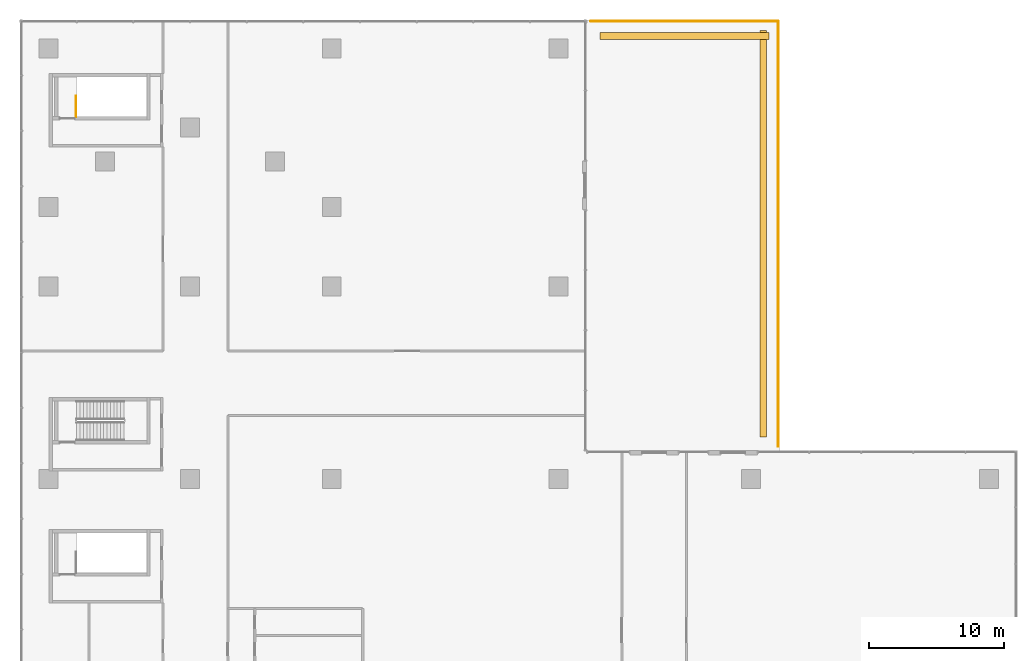
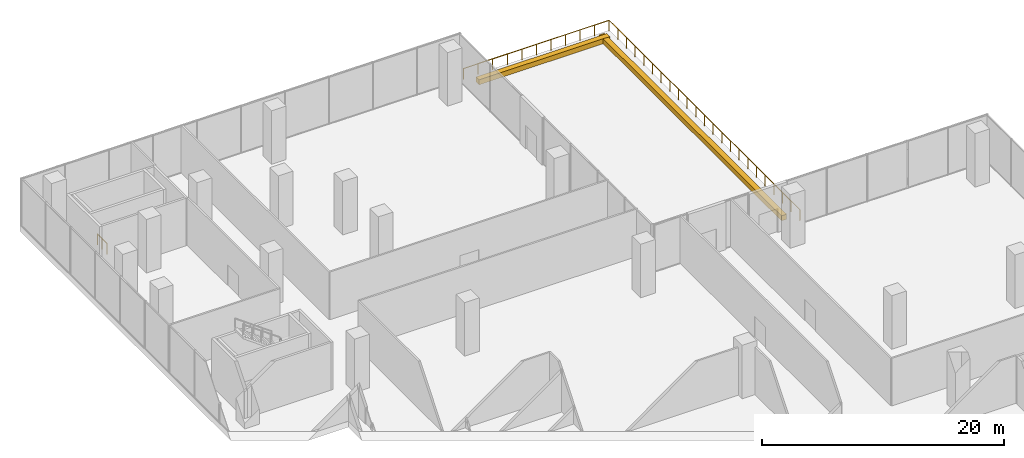
# One storey, part 21 of 21: 3 railings, 2 coverings.
"""IFC4 building model written with IfcOpenShell, lengths in metres."""

from ifc_helpers import new_model, si_unit, direction, frame, origin, origin_2d, place, context, subcontext, project, spatial, rectangle, circle, extrude, source, transform, mapped, material, type_object, element, save


model = new_model("IFC4")

# Units and contexts
model_context = context("Model", 3, precision=1e-05, world=origin(), true_north=direction((0.0, 1.0)))
body_context = subcontext(model_context, "Body", "Model", "MODEL_VIEW")
ifc_project = project(units=[si_unit("LENGTHUNIT", "METRE"), si_unit("AREAUNIT", "SQUARE_METRE"), si_unit("VOLUMEUNIT", "CUBIC_METRE"), si_unit("PLANEANGLEUNIT", "RADIAN"), si_unit("MASSUNIT", "GRAM", prefix="KILO")], contexts=[model_context])

# Site, building, storey
site_placement = place(None, origin())
site = spatial("IfcSite", under=ifc_project, at=site_placement, CompositionType="ELEMENT")
building_placement = place(site_placement, origin())
building = spatial("IfcBuilding", under=site, at=building_placement, Name="Aurelian Terraces", CompositionType="ELEMENT")
storey_placement = place(building_placement, frame((0.0, 0.0, 29.1)))
storey = spatial("IfcBuildingStorey", under=building, at=storey_placement, Name="L05", CompositionType="ELEMENT", Elevation=29.1)

# Railing
ifc_material_1 = material(Name="Anodised aluminium", Category="aluminium")
railing_type_1 = type_object("IfcRailingType", Name="GUARD-1100", PredefinedType="GUARDRAIL", material=ifc_material_1)
railing_1_placement = place(storey_placement, frame((54.09, 71.73, 0.0)))
element("IfcRailing", 1, at=railing_1_placement, inside=storey, type_object=railing_type_1, Name="Terrace guard L05 L05-X1.2", PredefinedType="GUARDRAIL", context=body_context, shape_type="SweptSolid", body=[
    extrude(circle(Radius=0.024, at=origin_2d()), frame((0.0, 0.0, 1.076), z_axis=(0.0, -1.0, 0.0), x_axis=(1.0, 0.0, 0.0)), (0.0, 0.0, 1.0), 31.53),
    extrude(circle(Radius=0.021, at=origin_2d()), origin(), (0.0, 0.0, 1.0), 1.052),
    extrude(circle(Radius=0.021, at=origin_2d()), frame((0.0, -1.4332, 0.0)), (0.0, 0.0, 1.0), 1.052),
    extrude(circle(Radius=0.021, at=origin_2d()), frame((0.0, -2.8664, 0.0)), (0.0, 0.0, 1.0), 1.052),
    extrude(circle(Radius=0.021, at=origin_2d()), frame((0.0, -4.2995, 0.0)), (0.0, 0.0, 1.0), 1.052),
    extrude(circle(Radius=0.021, at=origin_2d()), frame((0.0, -5.7327, 0.0)), (0.0, 0.0, 1.0), 1.052),
    extrude(circle(Radius=0.021, at=origin_2d()), frame((0.0, -7.1659, 0.0)), (0.0, 0.0, 1.0), 1.052),
    extrude(circle(Radius=0.021, at=origin_2d()), frame((0.0, -8.5991, 0.0)), (0.0, 0.0, 1.0), 1.052),
    extrude(circle(Radius=0.021, at=origin_2d()), frame((0.0, -10.0323, 0.0)), (0.0, 0.0, 1.0), 1.052),
    extrude(circle(Radius=0.021, at=origin_2d()), frame((0.0, -11.4655, 0.0)), (0.0, 0.0, 1.0), 1.052),
    extrude(circle(Radius=0.021, at=origin_2d()), frame((0.0, -12.8986, 0.0)), (0.0, 0.0, 1.0), 1.052),
    extrude(circle(Radius=0.021, at=origin_2d()), frame((0.0, -14.3318, 0.0)), (0.0, 0.0, 1.0), 1.052),
    extrude(circle(Radius=0.021, at=origin_2d()), frame((0.0, -15.765, 0.0)), (0.0, 0.0, 1.0), 1.052),
    extrude(circle(Radius=0.021, at=origin_2d()), frame((0.0, -17.1982, 0.0)), (0.0, 0.0, 1.0), 1.052),
    extrude(circle(Radius=0.021, at=origin_2d()), frame((0.0, -18.6314, 0.0)), (0.0, 0.0, 1.0), 1.052),
    extrude(circle(Radius=0.021, at=origin_2d()), frame((0.0, -20.0645, 0.0)), (0.0, 0.0, 1.0), 1.052),
    extrude(circle(Radius=0.021, at=origin_2d()), frame((0.0, -21.4977, 0.0)), (0.0, 0.0, 1.0), 1.052),
    extrude(circle(Radius=0.021, at=origin_2d()), frame((0.0, -22.9309, 0.0)), (0.0, 0.0, 1.0), 1.052),
    extrude(circle(Radius=0.021, at=origin_2d()), frame((0.0, -24.3641, 0.0)), (0.0, 0.0, 1.0), 1.052),
    extrude(circle(Radius=0.021, at=origin_2d()), frame((0.0, -25.7973, 0.0)), (0.0, 0.0, 1.0), 1.052),
    extrude(circle(Radius=0.021, at=origin_2d()), frame((0.0, -27.2305, 0.0)), (0.0, 0.0, 1.0), 1.052),
    extrude(circle(Radius=0.021, at=origin_2d()), frame((0.0, -28.6636, 0.0)), (0.0, 0.0, 1.0), 1.052),
    extrude(circle(Radius=0.021, at=origin_2d()), frame((0.0, -30.0968, 0.0)), (0.0, 0.0, 1.0), 1.052),
    extrude(circle(Radius=0.021, at=origin_2d()), frame((0.0, -31.53, 0.0)), (0.0, 0.0, 1.0), 1.052),
])

# Coverings
ifc_material_2 = material(Name="Terracotta planter with planting soil", Category="masonry")
covering_type = type_object("IfcCoveringType", Name="PLANTER-TROUGH", PredefinedType="USERDEFINED", material=ifc_material_2)
covering_1_placement = place(storey_placement, frame((52.99, 55.965, 0.0), z_axis=(0.0, 0.0, 1.0), x_axis=(1.0, 0.0, 0.0)))
element("IfcCovering", 2, at=covering_1_placement, inside=storey, type_object=covering_type, Name="PLANTER L05 terrace L05-X1-1.1", ObjectType="PLANTER", PredefinedType="USERDEFINED", context=body_context, shape_type="SweptSolid", body=[
    extrude(rectangle(XDim=0.5, YDim=30.13, at=origin_2d()), origin(), (0.0, 0.0, 1.0), 0.5),
])
shared_shape_1 = source(origin(), body_context, "Body", "SweptSolid", [
    extrude(rectangle(XDim=12.49, YDim=0.5, at=origin_2d()), origin(), (0.0, 0.0, 1.0), 0.5),
])
covering_2_placement = place(storey_placement, frame((47.145, 70.63, 0.0), z_axis=(0.0, 0.0, 1.0), x_axis=(1.0, 0.0, 0.0)))
element("IfcCovering", 3, at=covering_2_placement, inside=storey, type_object=covering_type, Name="PLANTER L05 terrace L05-X1-0.1", ObjectType="PLANTER", PredefinedType="USERDEFINED", context=body_context, shape_type="MappedRepresentation", body=[
    mapped(shared_shape_1, transform((0.0, 0.0, 0.0), scale=1.0)),
])

# Railings
shared_shape_2 = source(origin(), body_context, "Body", "SweptSolid", [
    extrude(circle(Radius=0.024, at=origin_2d()), frame((0.0, 0.0, 1.076), z_axis=(1.0, 0.0, 0.0), x_axis=(0.0, 1.0, 0.0)), (0.0, 0.0, 1.0), 13.89),
    extrude(circle(Radius=0.021, at=origin_2d()), origin(), (0.0, 0.0, 1.0), 1.052),
    extrude(circle(Radius=0.021, at=origin_2d()), frame((1.389, 0.0, 0.0)), (0.0, 0.0, 1.0), 1.052),
    extrude(circle(Radius=0.021, at=origin_2d()), frame((2.778, 0.0, 0.0)), (0.0, 0.0, 1.0), 1.052),
    extrude(circle(Radius=0.021, at=origin_2d()), frame((4.167, 0.0, 0.0)), (0.0, 0.0, 1.0), 1.052),
    extrude(circle(Radius=0.021, at=origin_2d()), frame((5.556, 0.0, 0.0)), (0.0, 0.0, 1.0), 1.052),
    extrude(circle(Radius=0.021, at=origin_2d()), frame((6.945, 0.0, 0.0)), (0.0, 0.0, 1.0), 1.052),
    extrude(circle(Radius=0.021, at=origin_2d()), frame((8.334, 0.0, 0.0)), (0.0, 0.0, 1.0), 1.052),
    extrude(circle(Radius=0.021, at=origin_2d()), frame((9.723, 0.0, 0.0)), (0.0, 0.0, 1.0), 1.052),
    extrude(circle(Radius=0.021, at=origin_2d()), frame((11.112, 0.0, 0.0)), (0.0, 0.0, 1.0), 1.052),
    extrude(circle(Radius=0.021, at=origin_2d()), frame((12.501, 0.0, 0.0)), (0.0, 0.0, 1.0), 1.052),
    extrude(circle(Radius=0.021, at=origin_2d()), frame((13.89, 0.0, 0.0)), (0.0, 0.0, 1.0), 1.052),
])
railing_2_placement = place(storey_placement, frame((40.2, 71.73, 0.0)))
element("IfcRailing", 4, at=railing_2_placement, inside=storey, type_object=railing_type_1, Name="Terrace guard L05 L05-X1.1", PredefinedType="GUARDRAIL", context=body_context, shape_type="MappedRepresentation", body=[
    mapped(shared_shape_2, transform((0.0, 0.0, 0.0), scale=1.0)),
])
ifc_material_3 = material(Name="Stainless steel", Category="steel")
railing_type_2 = type_object("IfcRailingType", Name="Stair guard 1100", PredefinedType="GUARDRAIL", material=ifc_material_3)
shared_shape_3 = source(origin(), body_context, "Body", "SweptSolid", [
    extrude(circle(Radius=0.024, at=origin_2d()), frame((0.0, 0.0, 1.076), z_axis=(0.0, 1.0, 0.0), x_axis=(-1.0, 0.0, 0.0)), (0.0, 0.0, 1.0), 1.55),
    extrude(circle(Radius=0.021, at=origin_2d()), origin(), (0.0, 0.0, 1.0), 1.052),
    extrude(circle(Radius=0.021, at=origin_2d()), frame((0.0, 0.775, 0.0)), (0.0, 0.0, 1.0), 1.052),
    extrude(circle(Radius=0.021, at=origin_2d()), frame((0.0, 1.55, 0.0)), (0.0, 0.0, 1.0), 1.052),
])
railing_3_placement = place(storey_placement, frame((2.05, 64.65, 0.0)))
element("IfcRailing", 5, at=railing_3_placement, inside=storey, type_object=railing_type_2, Name="L05 S5 top well guard 1", PredefinedType="GUARDRAIL", context=body_context, shape_type="MappedRepresentation", body=[
    mapped(shared_shape_3, transform((0.0, 0.0, 0.0), scale=1.0)),
])

save(model, "model.ifc")
